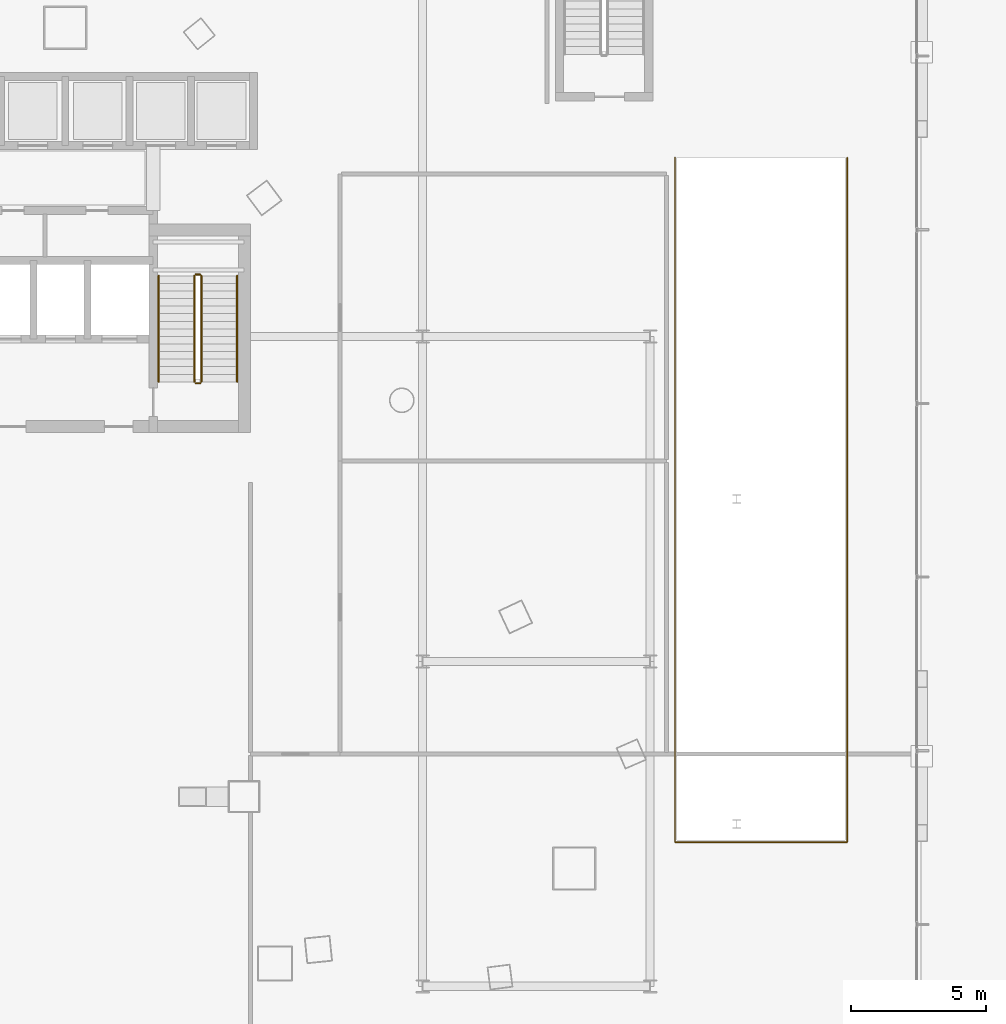
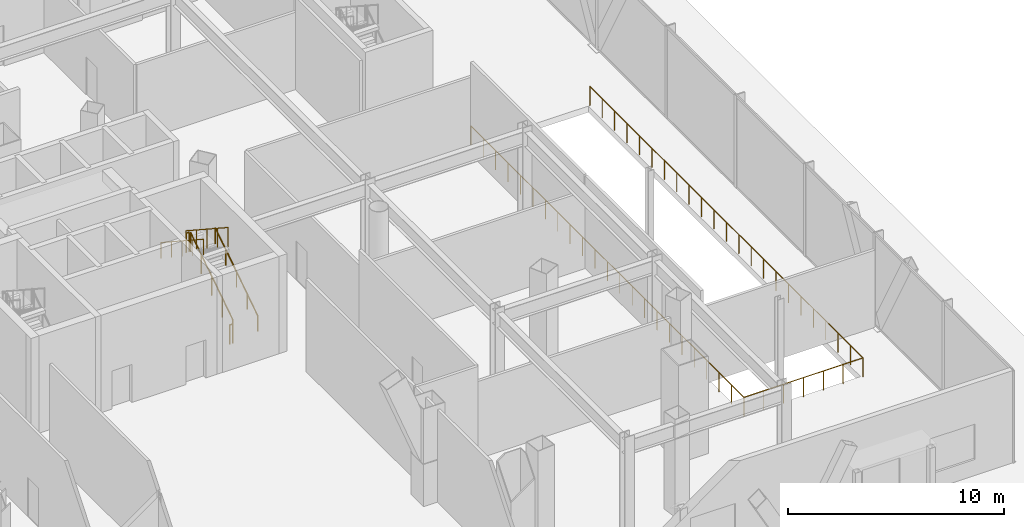
# One storey, part 33 of 38: 7 railings.
"""IFC4 building model written with IfcOpenShell, lengths in metres."""

import ifcopenshell
import ifcopenshell.guid

model = None  # the IFC model being written
_history = None  # IfcOwnerHistory: only IFC2X3 demands one
_inside = {}  # id of a spatial element -> (the spatial element, [elements in it])
_under = {}  # id of a project, library or spatial element -> (it, [spatial elements below it])
_declared = {}  # id of a project -> (the project, [libraries it declares])
_typed = {}  # id of a type object -> (the type object, [elements of that type])
_made_of = {}  # id of a material, layer set ... -> (it, [elements and type objects made of it])


def new_model(schema):
    """Start an empty IFC model of exactly this schema.

    Asked for "IFC4X3", IfcOpenShell would pick the latest addendum, in which some entities
    have other attributes; the version numbers below select the first issue.
    IFC2X3 requires an IfcOwnerHistory on every rooted entity: one is made here for all.
    """
    global model, _history
    if schema == "IFC4X3":
        model = ifcopenshell.file(schema_version=(4, 3, 0, 0))
    else:
        model = ifcopenshell.file(schema=schema)
    _inside.clear()
    _under.clear()
    _declared.clear()
    _typed.clear()
    _made_of.clear()
    _history = None
    if model.schema == "IFC2X3":
        org = make("IfcOrganization", Name="unknown")
        user = make(
            "IfcPersonAndOrganization",
            ThePerson=make("IfcPerson", FamilyName="unknown"),
            TheOrganization=org,
        )
        app = make(
            "IfcApplication",
            ApplicationDeveloper=org,
            Version="unknown",
            ApplicationFullName="unknown",
            ApplicationIdentifier="unknown",
        )
        _history = make(
            "IfcOwnerHistory",
            OwningUser=user,
            OwningApplication=app,
            ChangeAction="ADDED",
            CreationDate=0,
        )
    return model


def make(cls, **values):
    """One entity of the class cls with the attributes given. An attribute that is None is left unset."""
    return model.create_entity(
        cls, **{name: value for name, value in values.items() if value is not None}
    )


def rooted(cls, **values):
    """An entity with a GlobalId (a new one), such as an element, a storey or a relation."""
    return make(cls, GlobalId=ifcopenshell.guid.new(), OwnerHistory=_history, **values)


def si_unit(unit_type, name, prefix=None):
    """IfcSIUnit, for example si_unit("LENGTHUNIT", "METRE", prefix="MILLI")."""
    return make("IfcSIUnit", UnitType=unit_type, Prefix=prefix, Name=name)


def assignment(units):
    """IfcUnitAssignment: the units of a project."""
    return None if units is None else make("IfcUnitAssignment", Units=units)


def point(xyz):
    """IfcCartesianPoint."""
    return None if xyz is None else make("IfcCartesianPoint", Coordinates=xyz)


def direction(xyz):
    """IfcDirection."""
    return None if xyz is None else make("IfcDirection", DirectionRatios=xyz)


def frame(location, z_axis=None, x_axis=None):
    """IfcAxis2Placement3D, a coordinate frame: its origin and axes. An axis left out is left unset."""
    return make(
        "IfcAxis2Placement3D",
        Location=point(location),
        Axis=direction(z_axis),
        RefDirection=direction(x_axis),
    )


def frame_2d(location, x_axis=None):
    """IfcAxis2Placement2D, a coordinate frame in the plane: its origin and x axis."""
    return make(
        "IfcAxis2Placement2D", Location=point(location), RefDirection=direction(x_axis)
    )


def origin():
    """The frame at (0, 0, 0) with its axes left unset."""
    return frame((0.0, 0.0, 0.0))


def origin_2d():
    """The frame at (0, 0) in the plane with its x axis left unset."""
    return frame_2d((0.0, 0.0))


def place(relative_to, where):
    """IfcLocalPlacement: puts the frame where relative to a parent placement (None: the world)."""
    return make(
        "IfcLocalPlacement", PlacementRelTo=relative_to, RelativePlacement=where
    )


def context(
    kind, dimensions, precision=None, world=None, true_north=None, identifier=None
):
    """IfcGeometricRepresentationContext, for example the 3D "Model" context."""
    return make(
        "IfcGeometricRepresentationContext",
        ContextIdentifier=identifier,
        ContextType=kind,
        CoordinateSpaceDimension=dimensions,
        Precision=precision,
        WorldCoordinateSystem=world,
        TrueNorth=true_north,
    )


def subcontext(parent, identifier, kind, view, scale=None):
    """IfcGeometricRepresentationSubContext, for example "Body" below "Model"."""
    return make(
        "IfcGeometricRepresentationSubContext",
        ContextIdentifier=identifier,
        ContextType=kind,
        ParentContext=parent,
        TargetScale=scale,
        TargetView=view,
    )


def project(units=None, contexts=None):
    """IfcProject with its units and contexts."""
    return rooted(
        "IfcProject",
        Name="project",
        RepresentationContexts=contexts,
        UnitsInContext=assignment(units),
    )


def spatial(cls, under=None, at=None, **own):
    """A site, building, storey or space (cls), placed at a placement, below another one or the project."""
    s = rooted(cls, ObjectPlacement=at, **own)
    if under is not None:
        _under.setdefault(under.id(), (under, []))[1].append(s)
    return s


def profile(cls, at=None, kind="AREA", **sizes):
    """A parametric profile (cls). Its sizes go by their IFC names, for example OverallWidth=200.0."""
    return make(cls, ProfileType=kind, Position=at, **sizes)


def circle(**sizes):
    """IfcCircleProfileDef."""
    return profile("IfcCircleProfileDef", **sizes)


def extrude(swept, where, along, depth):
    """IfcExtrudedAreaSolid: the profile swept, set in the frame where, extruded along a direction by depth."""
    return make(
        "IfcExtrudedAreaSolid",
        SweptArea=swept,
        Position=where,
        ExtrudedDirection=direction(along),
        Depth=depth,
    )


def shape(context_of_items, identifier, shape_type, items):
    """IfcShapeRepresentation: the items that make up one representation, for example the "Body"."""
    return make(
        "IfcShapeRepresentation",
        ContextOfItems=context_of_items,
        RepresentationIdentifier=identifier,
        RepresentationType=shape_type,
        Items=items,
    )


def material(Name=None, Category=None):
    """IfcMaterial."""
    return make("IfcMaterial", Name=Name, Category=Category)


def made_of(thing, what):
    """Note that an element or type object is made of a material, layer set ...; save() writes the relation."""
    if what is not None:
        _made_of.setdefault(what.id(), (what, []))[1].append(thing)
    return thing


def type_object(cls, material=None, **own):
    """A type object (cls), such as IfcWallType, which elements share."""
    return made_of(rooted(cls, **own), material)


def element(
    cls,
    number,
    at=None,
    inside=None,
    cuts=None,
    type_object=None,
    material=None,
    context=None,
    identifier="Body",
    shape_type=None,
    held_by="IfcProductDefinitionShape",
    body=None,
    shapes=None,
    **own,
):
    """One element of the class cls, such as IfcWall. Its Tag is "e" and its number.

    at: its placement. inside: the storey or other place that contains it. cuts: it is an
    opening in that element (IfcRelVoidsElement). A single representation is given by context,
    identifier, shape_type and body (its items); several are given by shapes. held_by: the class
    of the entity that holds the representations. save() writes the other relations.
    """
    e = rooted(cls, Tag="e%d" % number, ObjectPlacement=at, **own)
    if body is not None:
        shapes = [shape(context, identifier, shape_type, body)]
    if shapes is not None:
        e.Representation = make(held_by, Representations=shapes)
    if inside is not None:
        _inside.setdefault(inside.id(), (inside, []))[1].append(e)
    if cuts is not None:
        rooted(
            "IfcRelVoidsElement", RelatingBuildingElement=cuts, RelatedOpeningElement=e
        )
    if type_object is not None:
        _typed.setdefault(type_object.id(), (type_object, []))[1].append(e)
    return made_of(e, material)


def aggregate(whole, parts):
    """IfcRelAggregates: a whole, such as a stair, and the parts it consists of."""
    return rooted("IfcRelAggregates", RelatingObject=whole, RelatedObjects=parts)


def save(model, path):
    """Write the relations noted so far, then the file.

    IfcRelAggregates (storeys below a building ...), IfcRelContainedInSpatialStructure (elements
    in a storey), IfcRelDefinesByType, IfcRelAssociatesMaterial and IfcRelDeclares: one each for
    every whole, place, type object, material and project.
    """
    for whole, parts in _under.values():
        aggregate(whole, parts)
    for where, things in _inside.values():
        rooted(
            "IfcRelContainedInSpatialStructure",
            RelatedElements=things,
            RelatingStructure=where,
        )
    for kind, things in _typed.values():
        rooted("IfcRelDefinesByType", RelatedObjects=things, RelatingType=kind)
    for what, things in _made_of.values():
        rooted("IfcRelAssociatesMaterial", RelatedObjects=things, RelatingMaterial=what)
    for by, libraries in _declared.values():
        rooted("IfcRelDeclares", RelatingContext=by, RelatedDefinitions=libraries)
    model.write(path)


model = new_model("IFC4")

# Units and contexts
model_context = context("Model", 3, precision=1e-05, world=origin(), true_north=direction((0.0, 1.0)))
body_context = subcontext(model_context, "Body", "Model", "MODEL_VIEW")
ifc_project = project(units=[si_unit("LENGTHUNIT", "METRE"), si_unit("AREAUNIT", "SQUARE_METRE"), si_unit("VOLUMEUNIT", "CUBIC_METRE"), si_unit("PLANEANGLEUNIT", "RADIAN"), si_unit("MASSUNIT", "GRAM", prefix="KILO")], contexts=[model_context])

# Site, building, storey
site_placement = place(None, origin())
site = spatial("IfcSite", under=ifc_project, at=site_placement, CompositionType="ELEMENT")
building_placement = place(site_placement, origin())
building = spatial("IfcBuilding", under=site, at=building_placement, Name="Orvanel Arch Residences", CompositionType="ELEMENT")
storey_placement = place(building_placement, origin())
storey = spatial("IfcBuildingStorey", under=building, at=storey_placement, Name="L00", CompositionType="ELEMENT", Elevation=0.0)

# Railings
ifc_material = material(Name="Structural steel AS/NZS 1163 C350L0 (Grade 350)", Category="steel")
railing_type_1 = type_object("IfcRailingType", Name="RL-RMP-1100", PredefinedType="GUARDRAIL", material=ifc_material)
railing_1_placement = place(storey_placement, frame((55.52001953125, 36.60009765625, 0.0)))
element("IfcRailing", 1, at=railing_1_placement, inside=storey, type_object=railing_type_1, Name="L00 Vehicle Ramp Deck Opening Guardrail", PredefinedType="GUARDRAIL", context=body_context, shape_type="SweptSolid", body=[
    extrude(circle(Radius=0.02392578125, at=origin_2d()), frame((0.0, -0.00146484375, 1.076171875), z_axis=(0.0, -1.0, 0.0), x_axis=(1.0, 0.0, 0.0)), (0.0, 0.0, 1.0), 25.277099609375),
    extrude(circle(Radius=0.02392578125, at=origin_2d()), frame((0.00146484375, -25.280029296875, 1.076171875), z_axis=(1.0, 0.0, 0.0), x_axis=(0.0, 1.0, 0.0)), (0.0, 0.0, 1.0), 6.35693359375),
    extrude(circle(Radius=0.02392578125, at=origin_2d()), frame((6.35986328125, -25.278564453125, 1.076171875), z_axis=(0.0, 1.0, 0.0), x_axis=(-1.0, 0.0, 0.0)), (0.0, 0.0, 1.0), 25.277099609375),
    extrude(circle(Radius=0.02099609375, at=origin_2d()), origin(), (0.0, 0.0, 1.0), 1.050048828125),
    extrude(circle(Radius=0.02099609375, at=origin_2d()), frame((0.0, -1.149169921875, 0.0)), (0.0, 0.0, 1.0), 1.050048828125),
    extrude(circle(Radius=0.02099609375, at=origin_2d()), frame((0.0, -2.298095703125, 0.0)), (0.0, 0.0, 1.0), 1.050048828125),
    extrude(circle(Radius=0.02099609375, at=origin_2d()), frame((0.0, -3.447265625, 0.0)), (0.0, 0.0, 1.0), 1.050048828125),
    extrude(circle(Radius=0.02099609375, at=origin_2d()), frame((0.0, -4.596435546875, 0.0)), (0.0, 0.0, 1.0), 1.050048828125),
    extrude(circle(Radius=0.02099609375, at=origin_2d()), frame((0.0, -5.745361328125, 0.0)), (0.0, 0.0, 1.0), 1.050048828125),
    extrude(circle(Radius=0.02099609375, at=origin_2d()), frame((0.0, -6.89453125, 0.0)), (0.0, 0.0, 1.0), 1.050048828125),
    extrude(circle(Radius=0.02099609375, at=origin_2d()), frame((0.0, -8.043701171875, 0.0)), (0.0, 0.0, 1.0), 1.050048828125),
    extrude(circle(Radius=0.02099609375, at=origin_2d()), frame((0.0, -9.192626953125, 0.0)), (0.0, 0.0, 1.0), 1.050048828125),
    extrude(circle(Radius=0.02099609375, at=origin_2d()), frame((0.0, -10.341796875, 0.0)), (0.0, 0.0, 1.0), 1.050048828125),
    extrude(circle(Radius=0.02099609375, at=origin_2d()), frame((0.0, -11.490966796875, 0.0)), (0.0, 0.0, 1.0), 1.050048828125),
    extrude(circle(Radius=0.02099609375, at=origin_2d()), frame((0.0, -12.64013671875, 0.0)), (0.0, 0.0, 1.0), 1.050048828125),
    extrude(circle(Radius=0.02099609375, at=origin_2d()), frame((0.0, -13.7890625, 0.0)), (0.0, 0.0, 1.0), 1.050048828125),
    extrude(circle(Radius=0.02099609375, at=origin_2d()), frame((0.0, -14.938232421875, 0.0)), (0.0, 0.0, 1.0), 1.050048828125),
    extrude(circle(Radius=0.02099609375, at=origin_2d()), frame((0.0, -16.08740234375, 0.0)), (0.0, 0.0, 1.0), 1.050048828125),
    extrude(circle(Radius=0.02099609375, at=origin_2d()), frame((0.0, -17.236328125, 0.0)), (0.0, 0.0, 1.0), 1.050048828125),
    extrude(circle(Radius=0.02099609375, at=origin_2d()), frame((0.0, -18.385498046875, 0.0)), (0.0, 0.0, 1.0), 1.050048828125),
    extrude(circle(Radius=0.02099609375, at=origin_2d()), frame((0.0, -19.53466796875, 0.0)), (0.0, 0.0, 1.0), 1.050048828125),
    extrude(circle(Radius=0.02099609375, at=origin_2d()), frame((0.0, -20.68359375, 0.0)), (0.0, 0.0, 1.0), 1.050048828125),
    extrude(circle(Radius=0.02099609375, at=origin_2d()), frame((0.0, -21.832763671875, 0.0)), (0.0, 0.0, 1.0), 1.050048828125),
    extrude(circle(Radius=0.02099609375, at=origin_2d()), frame((0.0, -22.98193359375, 0.0)), (0.0, 0.0, 1.0), 1.050048828125),
    extrude(circle(Radius=0.02099609375, at=origin_2d()), frame((0.0, -24.130859375, 0.0)), (0.0, 0.0, 1.0), 1.050048828125),
    extrude(circle(Radius=0.02099609375, at=origin_2d()), frame((0.0, -25.280029296875, 0.0)), (0.0, 0.0, 1.0), 1.050048828125),
    extrude(circle(Radius=0.02099609375, at=origin_2d()), frame((1.06005859375, -25.280029296875, 0.0)), (0.0, 0.0, 1.0), 1.050048828125),
    extrude(circle(Radius=0.02099609375, at=origin_2d()), frame((2.119873046875, -25.280029296875, 0.0)), (0.0, 0.0, 1.0), 1.050048828125),
    extrude(circle(Radius=0.02099609375, at=origin_2d()), frame((3.179931640625, -25.280029296875, 0.0)), (0.0, 0.0, 1.0), 1.050048828125),
    extrude(circle(Radius=0.02099609375, at=origin_2d()), frame((4.239990234375, -25.280029296875, 0.0)), (0.0, 0.0, 1.0), 1.050048828125),
    extrude(circle(Radius=0.02099609375, at=origin_2d()), frame((5.2998046875, -25.280029296875, 0.0)), (0.0, 0.0, 1.0), 1.050048828125),
    extrude(circle(Radius=0.02099609375, at=origin_2d()), frame((6.35986328125, -25.280029296875, 0.0)), (0.0, 0.0, 1.0), 1.050048828125),
    extrude(circle(Radius=0.02099609375, at=origin_2d()), frame((6.35986328125, -24.130859375, 0.0)), (0.0, 0.0, 1.0), 1.050048828125),
    extrude(circle(Radius=0.02099609375, at=origin_2d()), frame((6.35986328125, -22.98193359375, 0.0)), (0.0, 0.0, 1.0), 1.050048828125),
    extrude(circle(Radius=0.02099609375, at=origin_2d()), frame((6.35986328125, -21.832763671875, 0.0)), (0.0, 0.0, 1.0), 1.050048828125),
    extrude(circle(Radius=0.02099609375, at=origin_2d()), frame((6.35986328125, -20.68359375, 0.0)), (0.0, 0.0, 1.0), 1.050048828125),
    extrude(circle(Radius=0.02099609375, at=origin_2d()), frame((6.35986328125, -19.53466796875, 0.0)), (0.0, 0.0, 1.0), 1.050048828125),
    extrude(circle(Radius=0.02099609375, at=origin_2d()), frame((6.35986328125, -18.385498046875, 0.0)), (0.0, 0.0, 1.0), 1.050048828125),
    extrude(circle(Radius=0.02099609375, at=origin_2d()), frame((6.35986328125, -17.236328125, 0.0)), (0.0, 0.0, 1.0), 1.050048828125),
    extrude(circle(Radius=0.02099609375, at=origin_2d()), frame((6.35986328125, -16.08740234375, 0.0)), (0.0, 0.0, 1.0), 1.050048828125),
    extrude(circle(Radius=0.02099609375, at=origin_2d()), frame((6.35986328125, -14.938232421875, 0.0)), (0.0, 0.0, 1.0), 1.050048828125),
    extrude(circle(Radius=0.02099609375, at=origin_2d()), frame((6.35986328125, -13.7890625, 0.0)), (0.0, 0.0, 1.0), 1.050048828125),
    extrude(circle(Radius=0.02099609375, at=origin_2d()), frame((6.35986328125, -12.64013671875, 0.0)), (0.0, 0.0, 1.0), 1.050048828125),
    extrude(circle(Radius=0.02099609375, at=origin_2d()), frame((6.35986328125, -11.490966796875, 0.0)), (0.0, 0.0, 1.0), 1.050048828125),
    extrude(circle(Radius=0.02099609375, at=origin_2d()), frame((6.35986328125, -10.341796875, 0.0)), (0.0, 0.0, 1.0), 1.050048828125),
    extrude(circle(Radius=0.02099609375, at=origin_2d()), frame((6.35986328125, -9.192626953125, 0.0)), (0.0, 0.0, 1.0), 1.050048828125),
    extrude(circle(Radius=0.02099609375, at=origin_2d()), frame((6.35986328125, -8.043701171875, 0.0)), (0.0, 0.0, 1.0), 1.050048828125),
    extrude(circle(Radius=0.02099609375, at=origin_2d()), frame((6.35986328125, -6.89453125, 0.0)), (0.0, 0.0, 1.0), 1.050048828125),
    extrude(circle(Radius=0.02099609375, at=origin_2d()), frame((6.35986328125, -5.745361328125, 0.0)), (0.0, 0.0, 1.0), 1.050048828125),
    extrude(circle(Radius=0.02099609375, at=origin_2d()), frame((6.35986328125, -4.596435546875, 0.0)), (0.0, 0.0, 1.0), 1.050048828125),
    extrude(circle(Radius=0.02099609375, at=origin_2d()), frame((6.35986328125, -3.447265625, 0.0)), (0.0, 0.0, 1.0), 1.050048828125),
    extrude(circle(Radius=0.02099609375, at=origin_2d()), frame((6.35986328125, -2.298095703125, 0.0)), (0.0, 0.0, 1.0), 1.050048828125),
    extrude(circle(Radius=0.02099609375, at=origin_2d()), frame((6.35986328125, -1.149169921875, 0.0)), (0.0, 0.0, 1.0), 1.050048828125),
    extrude(circle(Radius=0.02099609375, at=origin_2d()), frame((6.35986328125, 0.0, 0.0)), (0.0, 0.0, 1.0), 1.050048828125),
])
railing_type_2 = type_object("IfcRailingType", Name="RL-STAIR-GUARD", PredefinedType="GUARDRAIL", material=ifc_material)
railing_2_placement = place(storey_placement, frame((38.030029296875, 28.320068359375, 0.183349609375)))
element("IfcRailing", 2, at=railing_2_placement, inside=storey, type_object=railing_type_2, Name="L00 ST-2 stair guard 1", PredefinedType="GUARDRAIL", context=body_context, shape_type="SweptSolid", body=[
    extrude(circle(Radius=0.02392578125, at=origin_2d()), frame((0.0, 0.001220703125, 1.076904296875), z_axis=(0.0, 0.836615117243, 0.547791151444), x_axis=(-1.0, 0.0, 0.0)), (0.0, 0.0, 1.0), 4.682373046875),
    extrude(circle(Radius=0.02099609375, at=origin_2d()), origin(), (0.0, 0.0, 1.0), 1.050048828125),
    extrude(circle(Radius=0.02099609375, at=origin_2d()), frame((0.0, 0.97998046875, 0.6416015625)), (0.0, 0.0, 1.0), 1.050048828125),
    extrude(circle(Radius=0.02099609375, at=origin_2d()), frame((0.0, 1.9599609375, 1.283203125)), (0.0, 0.0, 1.0), 1.050048828125),
    extrude(circle(Radius=0.02099609375, at=origin_2d()), frame((0.0, 2.93994140625, 1.925048828125)), (0.0, 0.0, 1.0), 1.050048828125),
    extrude(circle(Radius=0.02099609375, at=origin_2d()), frame((0.0, 3.919921875, 2.566650390625)), (0.0, 0.0, 1.0), 1.050048828125),
])
railing_3_placement = place(storey_placement, frame((37.97998046875, 32.2900390625, 2.75)))
element("IfcRailing", 3, at=railing_3_placement, inside=storey, type_object=railing_type_2, Name="L00 ST-2 stair guard 2", PredefinedType="GUARDRAIL", context=body_context, shape_type="SweptSolid", body=[
    extrude(circle(Radius=0.02392578125, at=origin_2d()), frame((-0.00146484375, 0.0, 1.076171875), z_axis=(-1.0, 0.0, 0.0), x_axis=(0.0, -1.0, 0.0)), (0.0, 0.0, 1.0), 0.156982421875),
    extrude(circle(Radius=0.02099609375, at=origin_2d()), origin(), (0.0, 0.0, 1.0), 1.050048828125),
    extrude(circle(Radius=0.02099609375, at=origin_2d()), frame((-0.159912109375, 0.0, 0.0)), (0.0, 0.0, 1.0), 1.050048828125),
])
railing_4_placement = place(storey_placement, frame((37.77001953125, 32.239990234375, 2.933349609375)))
element("IfcRailing", 4, at=railing_4_placement, inside=storey, type_object=railing_type_2, Name="L00 ST-2 stair guard 3", PredefinedType="GUARDRAIL", context=body_context, shape_type="SweptSolid", body=[
    extrude(circle(Radius=0.02392578125, at=origin_2d()), frame((0.0, -0.001220703125, 1.076904296875), z_axis=(0.0, -0.836615117243, 0.547791151444), x_axis=(1.0, 0.0, 0.0)), (0.0, 0.0, 1.0), 4.682373046875),
    extrude(circle(Radius=0.02099609375, at=origin_2d()), origin(), (0.0, 0.0, 1.0), 1.050048828125),
    extrude(circle(Radius=0.02099609375, at=origin_2d()), frame((0.0, -0.97998046875, 0.6416015625)), (0.0, 0.0, 1.0), 1.050048828125),
    extrude(circle(Radius=0.02099609375, at=origin_2d()), frame((0.0, -1.9599609375, 1.283203125)), (0.0, 0.0, 1.0), 1.050048828125),
    extrude(circle(Radius=0.02099609375, at=origin_2d()), frame((0.0, -2.93994140625, 1.925048828125)), (0.0, 0.0, 1.0), 1.050048828125),
    extrude(circle(Radius=0.02099609375, at=origin_2d()), frame((0.0, -3.919921875, 2.566650390625)), (0.0, 0.0, 1.0), 1.050048828125),
])
railing_5_placement = place(storey_placement, frame((37.97998046875, 28.27001953125, 0.0)))
element("IfcRailing", 5, at=railing_5_placement, inside=storey, type_object=railing_type_2, Name="L00 ST-2 stair guard 4", PredefinedType="GUARDRAIL", context=body_context, shape_type="SweptSolid", body=[
    extrude(circle(Radius=0.02392578125, at=origin_2d()), frame((-0.00146484375, 0.0, 1.076171875), z_axis=(-1.0, 0.0, 0.0), x_axis=(0.0, -1.0, 0.0)), (0.0, 0.0, 1.0), 0.156982421875),
    extrude(circle(Radius=0.02099609375, at=origin_2d()), origin(), (0.0, 0.0, 1.0), 1.050048828125),
    extrude(circle(Radius=0.02099609375, at=origin_2d()), frame((-0.159912109375, 0.0, 0.0)), (0.0, 0.0, 1.0), 1.050048828125),
])
railing_type_3 = type_object("IfcRailingType", Name="RL-STAIR-HAND", PredefinedType="HANDRAIL", material=ifc_material)
railing_6_placement = place(storey_placement, frame((39.35009765625, 28.320068359375, 0.183349609375)))
element("IfcRailing", 6, at=railing_6_placement, inside=storey, type_object=railing_type_3, Name="L00 ST-2 stair handrail 1", PredefinedType="HANDRAIL", context=body_context, shape_type="SweptSolid", body=[
    extrude(circle(Radius=0.02392578125, at=origin_2d()), frame((0.0, 0.001220703125, 0.876708984375), z_axis=(0.0, 0.836615117243, 0.547791151444), x_axis=(-1.0, 0.0, 0.0)), (0.0, 0.0, 1.0), 4.682373046875),
    extrude(circle(Radius=0.02099609375, at=origin_2d()), origin(), (0.0, 0.0, 1.0), 0.849853515625),
    extrude(circle(Radius=0.02099609375, at=origin_2d()), frame((0.0, 0.97998046875, 0.6416015625)), (0.0, 0.0, 1.0), 0.849853515625),
    extrude(circle(Radius=0.02099609375, at=origin_2d()), frame((0.0, 1.9599609375, 1.283203125)), (0.0, 0.0, 1.0), 0.849853515625),
    extrude(circle(Radius=0.02099609375, at=origin_2d()), frame((0.0, 2.93994140625, 1.925048828125)), (0.0, 0.0, 1.0), 0.849853515625),
    extrude(circle(Radius=0.02099609375, at=origin_2d()), frame((0.0, 3.919921875, 2.566650390625)), (0.0, 0.0, 1.0), 0.849853515625),
])
railing_7_placement = place(storey_placement, frame((36.449951171875, 32.239990234375, 2.933349609375)))
element("IfcRailing", 7, at=railing_7_placement, inside=storey, type_object=railing_type_3, Name="L00 ST-2 stair handrail 2", PredefinedType="HANDRAIL", context=body_context, shape_type="SweptSolid", body=[
    extrude(circle(Radius=0.02392578125, at=origin_2d()), frame((0.0, -0.001220703125, 0.876708984375), z_axis=(0.0, -0.836615117243, 0.547791151444), x_axis=(1.0, 0.0, 0.0)), (0.0, 0.0, 1.0), 4.682373046875),
    extrude(circle(Radius=0.02099609375, at=origin_2d()), origin(), (0.0, 0.0, 1.0), 0.849853515625),
    extrude(circle(Radius=0.02099609375, at=origin_2d()), frame((0.0, -0.97998046875, 0.6416015625)), (0.0, 0.0, 1.0), 0.849853515625),
    extrude(circle(Radius=0.02099609375, at=origin_2d()), frame((0.0, -1.9599609375, 1.283203125)), (0.0, 0.0, 1.0), 0.849853515625),
    extrude(circle(Radius=0.02099609375, at=origin_2d()), frame((0.0, -2.93994140625, 1.925048828125)), (0.0, 0.0, 1.0), 0.849853515625),
    extrude(circle(Radius=0.02099609375, at=origin_2d()), frame((0.0, -3.919921875, 2.566650390625)), (0.0, 0.0, 1.0), 0.849853515625),
])

save(model, "model.ifc")
